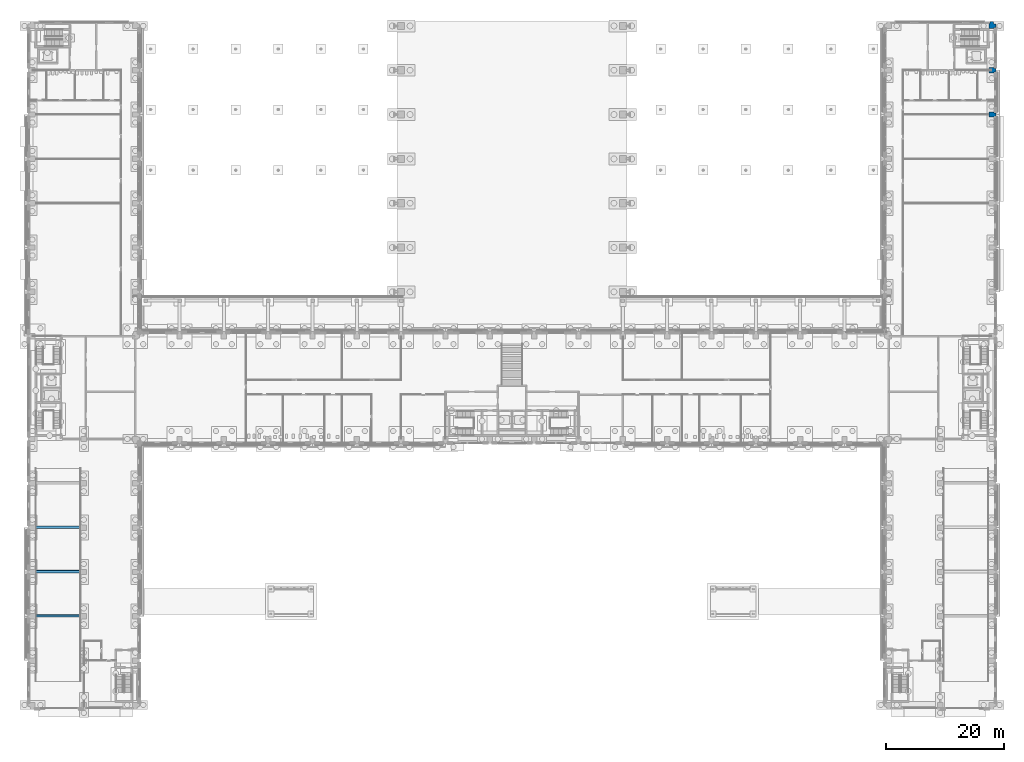
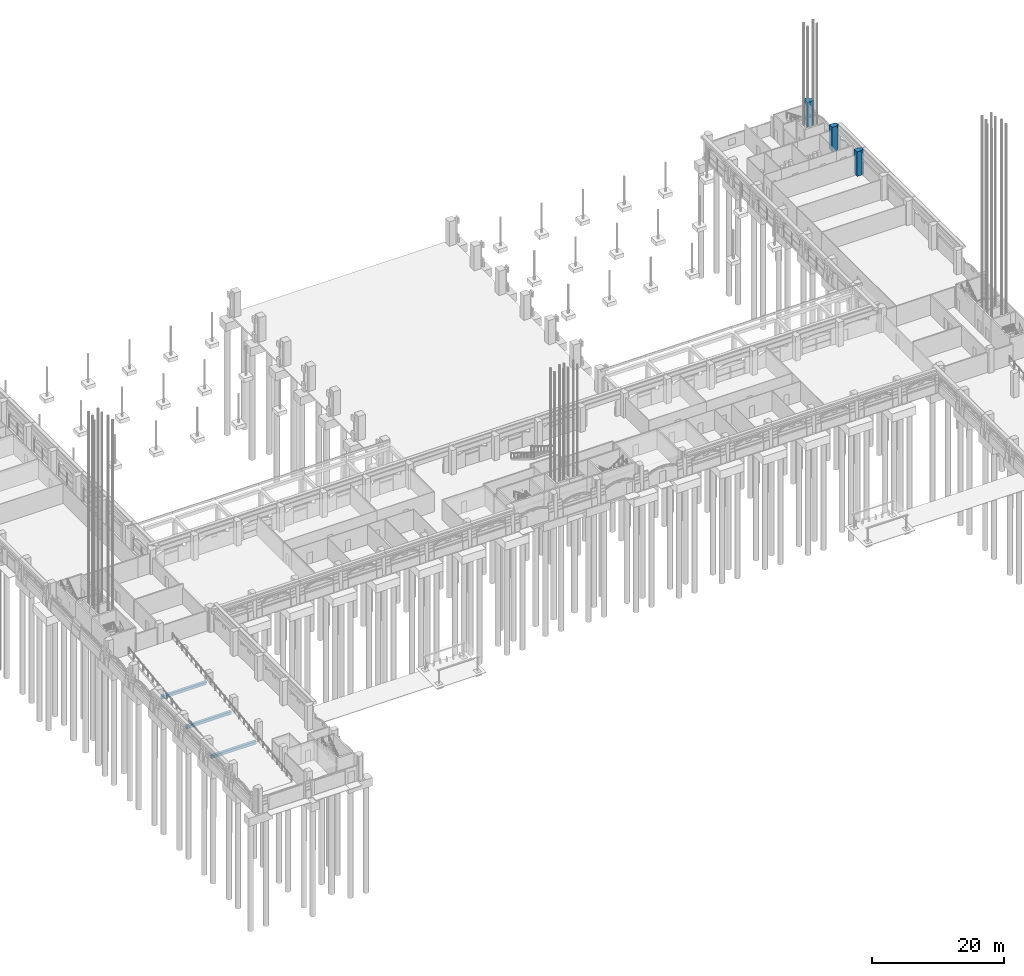
# One storey, part 18 of 99: 3 beams, 3 columns.
"""IFC4 building model written with IfcOpenShell, lengths in metres."""

from ifc_helpers import new_model, si_unit, direction, frame, origin, origin_2d, place, context, subcontext, project, spatial, polyline, rectangle, outline, extrude, material, material_profile, profile_set, type_object, element, save


model = new_model("IFC4")

# Units and contexts
model_context = context("Model", 3, precision=1e-05, world=origin(), true_north=direction((0.0, 1.0)))
body_context = subcontext(model_context, "Body", "Model", "MODEL_VIEW")
ifc_project = project(units=[si_unit("LENGTHUNIT", "METRE"), si_unit("AREAUNIT", "SQUARE_METRE"), si_unit("VOLUMEUNIT", "CUBIC_METRE"), si_unit("PLANEANGLEUNIT", "RADIAN"), si_unit("MASSUNIT", "GRAM", prefix="KILO")], contexts=[model_context])

# Site, building, storey
site_placement = place(None, origin())
site = spatial("IfcSite", under=ifc_project, at=site_placement, CompositionType="ELEMENT")
building_placement = place(site_placement, origin())
building = spatial("IfcBuilding", under=site, at=building_placement, Name="Cour d'Honneur Mobility Palace", CompositionType="ELEMENT")
storey_placement = place(building_placement, origin())
storey = spatial("IfcBuildingStorey", under=building, at=storey_placement, Name="L00", CompositionType="ELEMENT", Elevation=0.0)

# Columns
ifc_material_1 = material(Name="Concrete C50", Category="concrete")
ifc_material_profile_1 = material_profile(ifc_material_1, outline(polyline([(-0.449951171875, -0.449951171875), (0.449951171875, -0.449951171875), (0.449951171875, -0.300048828125), (0.75, -0.300048828125), (0.75, 0.300048828125), (0.449951171875, 0.300048828125), (0.449951171875, 0.449951171875), (0.300048828125, 0.449951171875), (0.300048828125, 0.75), (-0.300048828125, 0.75), (-0.300048828125, 0.449951171875), (-0.449951171875, 0.449951171875), (-0.449951171875, -0.449951171875)])), Name="PC C900 corner")
ifc_profile_set_1 = profile_set([ifc_material_profile_1], Name="Concrete C50")
column_type_1 = type_object("IfcColumnType", Name="Precast Column 900 corner", PredefinedType="COLUMN", material=ifc_profile_set_1)
column_placement = place(storey_placement, frame((162.300048828125, 114.89990234375, 0.0), z_axis=(0.0, 0.0, 1.0), x_axis=(1.0, 0.0, 0.0)))
element("IfcColumn", 1, at=column_placement, inside=storey, type_object=column_type_1, Name="Precast column C1 20/Q L00", PredefinedType="COLUMN", context=body_context, shape_type="SweptSolid", body=[
    extrude(outline(polyline([(-0.449951171875, -0.449951171875), (0.449951171875, -0.449951171875), (0.449951171875, -0.300048828125), (0.75, -0.300048828125), (0.75, 0.300048828125), (0.449951171875, 0.300048828125), (0.449951171875, 0.449951171875), (0.300048828125, 0.449951171875), (0.300048828125, 0.75), (-0.300048828125, 0.75), (-0.300048828125, 0.449951171875), (-0.449951171875, 0.449951171875), (-0.449951171875, -0.449951171875)])), origin(), (0.0, 0.0, 1.0), 4.5),
])
ifc_material_2 = material(Name="Concrete C50", Category="concrete")
ifc_material_profile_2 = material_profile(ifc_material_2, outline(polyline([(-0.449951171875, -0.449951171875), (0.449951171875, -0.449951171875), (0.449951171875, -0.300048828125), (0.75, -0.300048828125), (0.75, 0.300048828125), (0.449951171875, 0.300048828125), (0.449951171875, 0.449951171875), (-0.449951171875, 0.449951171875), (-0.449951171875, -0.449951171875)])), Name="PC C900 pilaster")
ifc_profile_set_2 = profile_set([ifc_material_profile_2], Name="Concrete C50")
column_type_2 = type_object("IfcColumnType", Name="Precast Column 900 pilaster", PredefinedType="COLUMN", material=ifc_profile_set_2)
for number, where, z_axis, x_axis, name in (
    (2, (162.300048828125, 99.89990234375, 0.0), (0.0, 0.0, 1.0), (1.0, 0.0, 0.0), "Precast column C3 20/N L00"),
    (3, (162.300048828125, 107.39990234375, 0.0), (0.0, 0.0, 1.0), (1.0, 0.0, 0.0), "Precast column C3 20/P L00"),
):
    element("IfcColumn", number, at=place(storey_placement, frame(where, z_axis=z_axis, x_axis=x_axis)), inside=storey, type_object=column_type_2, Name=name, PredefinedType="COLUMN", context=body_context, shape_type="SweptSolid", body=[
        extrude(outline(polyline([(-0.449951171875, -0.449951171875), (0.449951171875, -0.449951171875), (0.449951171875, -0.300048828125), (0.75, -0.300048828125), (0.75, 0.300048828125), (0.449951171875, 0.300048828125), (0.449951171875, 0.449951171875), (-0.449951171875, 0.449951171875), (-0.449951171875, -0.449951171875)])), origin(), (0.0, 0.0, 1.0), 4.5),
    ])

# Beams
ifc_material_3 = material(Name="Concrete C40", Category="concrete")
ifc_material_profile_3 = material_profile(ifc_material_3, rectangle(XDim=0.39990234375, YDim=0.60009765625, at=origin_2d()), Name="Ramp cross beam 400x600")
ifc_profile_set_3 = profile_set([ifc_material_profile_3], Name="Concrete C40")
beam_type = type_object("IfcBeamType", Name="Ramp cross beam 400x600", PredefinedType="BEAM", material=ifc_profile_set_3)
for number, where, z_axis, x_axis, name in (
    (4, (0.449951171875, 15.0869140625, 0.680419921875), (1.0, 0.0, 0.0), (0.0, 0.992277877469, 0.124034728547), "Ramp cross beam SW.R0-1"),
    (5, (0.449951171875, 22.5869140625, 1.617919921875), (1.0, 0.0, 0.0), (0.0, 0.992277877469, 0.124034728547), "Ramp cross beam SW.R0-2"),
    (6, (0.449951171875, 30.0869140625, 2.555419921875), (1.0, 0.0, 0.0), (0.0, 0.992277877469, 0.124034728547), "Ramp cross beam SW.R0-3"),
):
    element("IfcBeam", number, at=place(storey_placement, frame(where, z_axis=z_axis, x_axis=x_axis)), inside=storey, type_object=beam_type, Name=name, PredefinedType="BEAM", context=body_context, shape_type="SweptSolid", body=[
        extrude(rectangle(XDim=0.39990234375, YDim=0.60009765625, at=origin_2d()), origin(), (0.0, 0.0, 1.0), 7.800048828125),
    ])

save(model, "model.ifc")
